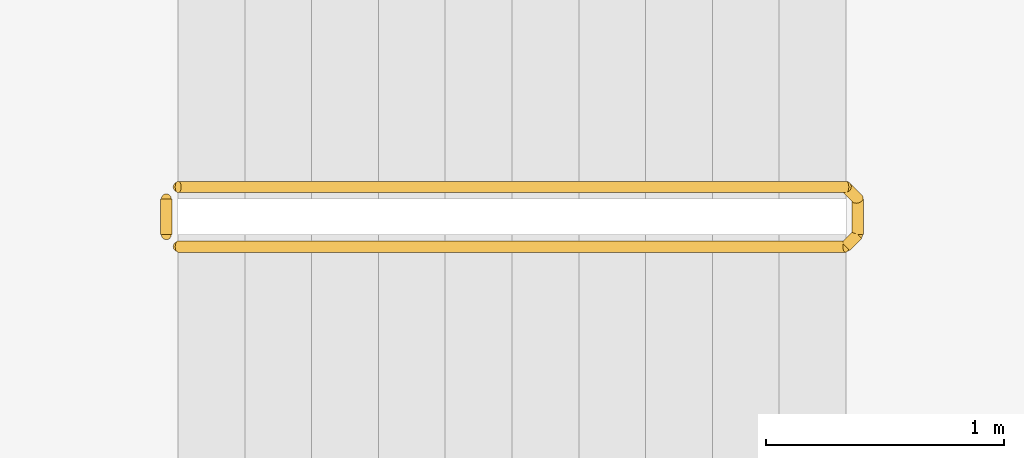
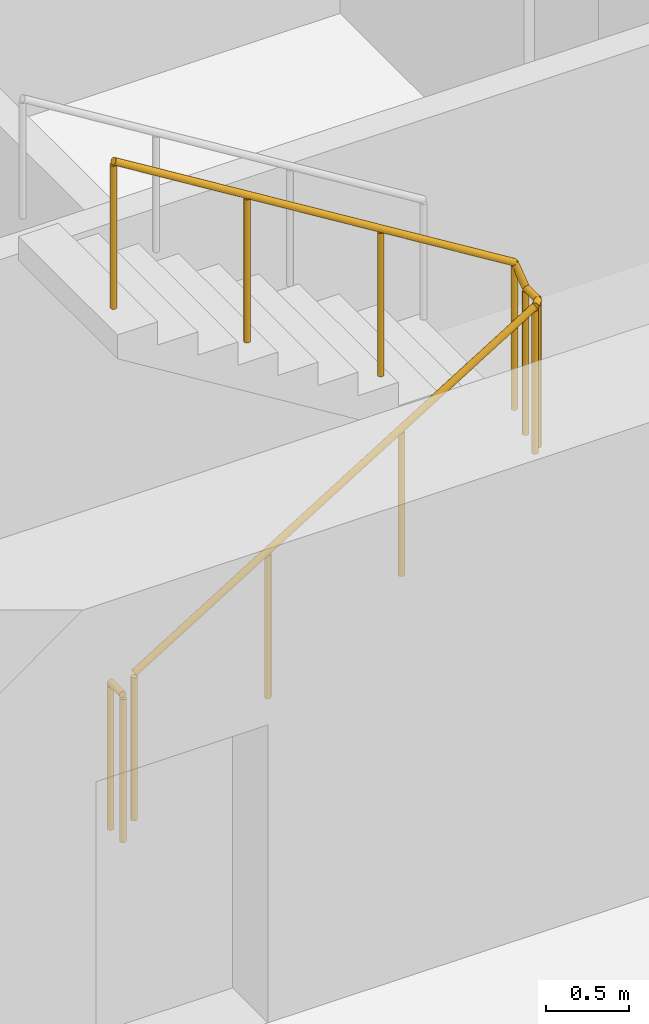
# One storey, part 10 of 14: 2 railings.
"""IFC4 building model written with IfcOpenShell, lengths in metres."""

from ifc_helpers import new_model, si_unit, direction, frame, origin, origin_2d, place, context, subcontext, project, spatial, circle, extrude, material, type_object, element, save


model = new_model("IFC4")

# Units and contexts
model_context = context("Model", 3, precision=1e-05, world=origin(), true_north=direction((0.0, 1.0)))
body_context = subcontext(model_context, "Body", "Model", "MODEL_VIEW")
ifc_project = project(units=[si_unit("LENGTHUNIT", "METRE"), si_unit("AREAUNIT", "SQUARE_METRE"), si_unit("VOLUMEUNIT", "CUBIC_METRE"), si_unit("PLANEANGLEUNIT", "RADIAN"), si_unit("MASSUNIT", "GRAM", prefix="KILO")], contexts=[model_context])

# Site, building, storey
site_placement = place(None, origin())
site = spatial("IfcSite", under=ifc_project, at=site_placement, CompositionType="ELEMENT")
building_placement = place(site_placement, origin())
building = spatial("IfcBuilding", under=site, at=building_placement, Name="Orbiselva Terraces", CompositionType="ELEMENT")
storey_placement = place(building_placement, frame((0.0, 0.0, 60.6)))
storey = spatial("IfcBuildingStorey", under=building, at=storey_placement, Name="L15", CompositionType="ELEMENT", Elevation=60.6)

# Railings
ifc_material = material(Name="Stainless steel", Category="steel")
railing_type = type_object("IfcRailingType", Name="CORE-GUARD-1100", PredefinedType="GUARDRAIL", material=ifc_material)
railing_1_placement = place(storey_placement, frame((-7.15, 6.55, 0.172727)))
element("IfcRailing", 1, at=railing_1_placement, inside=storey, type_object=railing_type, Name="L15 S3 stair guard 1", PredefinedType="GUARDRAIL", context=body_context, shape_type="SweptSolid", body=[
    extrude(circle(Radius=0.024, at=origin_2d()), frame((0.0, 0.0, 1.081), z_axis=(0.851088519012, 0.0, 0.52502222125), x_axis=(0.0, 1.0, 0.0)), (0.0, 0.0, 1.0), 3.289905),
    extrude(circle(Radius=0.024, at=origin_2d()), frame((2.8, 0.0, 2.808273), z_axis=(0.707106781187, 0.707106781187, 0.0), x_axis=(-0.707106781187, 0.707106781187, 0.0)), (0.0, 0.0, 1.0), 0.070711),
    extrude(circle(Radius=0.024, at=origin_2d()), frame((2.85, 0.05, 2.808273), z_axis=(0.0, 1.0, 0.0), x_axis=(-1.0, 0.0, 0.0)), (0.0, 0.0, 1.0), 0.15),
    extrude(circle(Radius=0.024, at=origin_2d()), frame((2.85, 0.2, 2.808273), z_axis=(-0.267894925557, 0.267894925557, 0.925453736133), x_axis=(-0.707106781187, -0.707106781187, 0.0)), (0.0, 0.0, 1.0), 0.18664),
    extrude(circle(Radius=0.024, at=origin_2d()), frame((2.8, 0.25, 2.981), z_axis=(-0.851088519012, 0.0, 0.52502222125), x_axis=(0.0, -1.0, 0.0)), (0.0, 0.0, 1.0), 3.289905),
    extrude(circle(Radius=0.021, at=origin_2d()), origin(), (0.0, 0.0, 1.0), 1.057),
    extrude(circle(Radius=0.021, at=origin_2d()), frame((0.933333, 0.0, 0.575758)), (0.0, 0.0, 1.0), 1.057),
    extrude(circle(Radius=0.021, at=origin_2d()), frame((1.866667, 0.0, 1.151515)), (0.0, 0.0, 1.0), 1.057),
    extrude(circle(Radius=0.021, at=origin_2d()), frame((2.8, 0.0, 1.727273)), (0.0, 0.0, 1.0), 1.057),
    extrude(circle(Radius=0.021, at=origin_2d()), frame((2.85, 0.05, 1.727273)), (0.0, 0.0, 1.0), 1.057),
    extrude(circle(Radius=0.021, at=origin_2d()), frame((2.85, 0.2, 1.727273)), (0.0, 0.0, 1.0), 1.057),
    extrude(circle(Radius=0.021, at=origin_2d()), frame((2.8, 0.25, 1.9)), (0.0, 0.0, 1.0), 1.057),
    extrude(circle(Radius=0.021, at=origin_2d()), frame((1.866667, 0.25, 2.475758)), (0.0, 0.0, 1.0), 1.057),
    extrude(circle(Radius=0.021, at=origin_2d()), frame((0.933333, 0.25, 3.051515)), (0.0, 0.0, 1.0), 1.057),
    extrude(circle(Radius=0.021, at=origin_2d()), frame((0.0, 0.25, 3.627273)), (0.0, 0.0, 1.0), 1.057),
])
railing_2_placement = place(storey_placement, frame((-7.2, 6.6, 0.0)))
element("IfcRailing", 2, at=railing_2_placement, inside=storey, type_object=railing_type, Name="L15 S3 stair guard 2", PredefinedType="GUARDRAIL", context=body_context, shape_type="SweptSolid", body=[
    extrude(circle(Radius=0.024, at=origin_2d()), frame((0.0, 0.0, 1.081), z_axis=(0.0, 1.0, 0.0), x_axis=(-1.0, 0.0, 0.0)), (0.0, 0.0, 1.0), 0.15),
    extrude(circle(Radius=0.021, at=origin_2d()), origin(), (0.0, 0.0, 1.0), 1.057),
    extrude(circle(Radius=0.021, at=origin_2d()), frame((0.0, 0.15, 0.0)), (0.0, 0.0, 1.0), 1.057),
])

save(model, "model.ifc")
